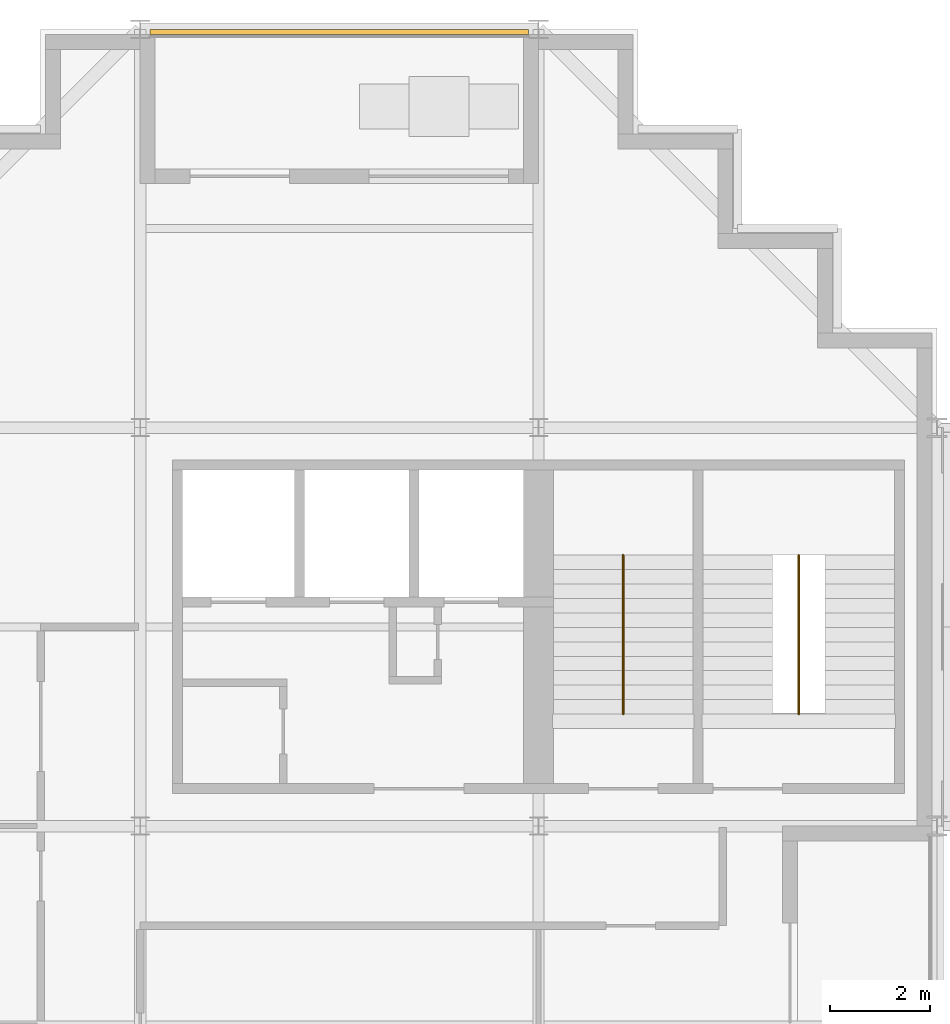
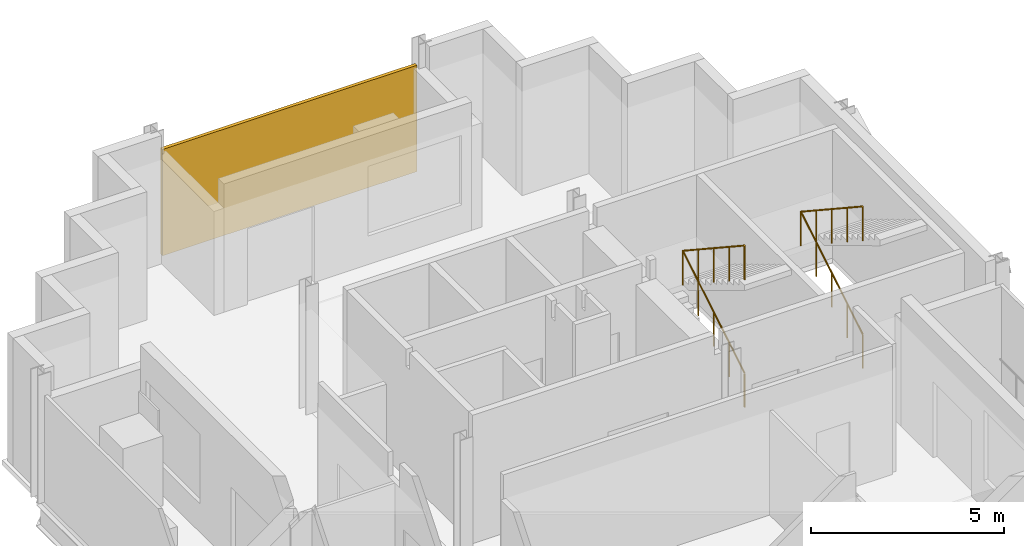
# One storey, part 11 of 12: 2 railings, 1 shading device.
"""IFC4 building model written with IfcOpenShell, lengths in metres."""

from ifc_helpers import new_model, si_unit, direction, frame, origin, origin_2d, place, context, subcontext, project, spatial, rectangle, circle, extrude, material, layer, layer_set, type_object, element, save


model = new_model("IFC4")

# Units and contexts
model_context = context("Model", 3, precision=1e-05, world=origin(), true_north=direction((0.0, 1.0)))
body_context = subcontext(model_context, "Body", "Model", "MODEL_VIEW")
ifc_project = project(units=[si_unit("LENGTHUNIT", "METRE"), si_unit("AREAUNIT", "SQUARE_METRE"), si_unit("VOLUMEUNIT", "CUBIC_METRE"), si_unit("PLANEANGLEUNIT", "RADIAN"), si_unit("MASSUNIT", "GRAM", prefix="KILO")], contexts=[model_context])

# Site, building, storey
site_placement = place(None, origin())
site = spatial("IfcSite", under=ifc_project, at=site_placement, CompositionType="ELEMENT")
building_placement = place(site_placement, origin())
building = spatial("IfcBuilding", under=site, at=building_placement, Name="Immortelle Media Tower", CompositionType="ELEMENT")
storey_placement = place(building_placement, frame((0.0, 0.0, 145.199951171875)))
storey = spatial("IfcBuildingStorey", under=building, at=storey_placement, Name="L29", CompositionType="ELEMENT", Elevation=145.199951171875)

# Shading device
ifc_material_1 = material(Name="Pale aluminium louvre blades", Category="aluminium")
ifc_layer = layer(ifc_material_1, 0.10009765625)
ifc_layer_set = layer_set([ifc_layer], Name="Pale aluminium louvre blades")
shading_device_type = type_object("IfcShadingDeviceType", Name="Jalousie screen 100", PredefinedType="JALOUSIE", material=ifc_layer_set)
shading_device_placement = place(storey_placement, frame((12.0, 47.949951171875, 0.0), z_axis=(0.0, 0.0, 1.0), x_axis=(-1.0, 0.0, 0.0)))
element("IfcShadingDevice", 1, at=shading_device_placement, inside=storey, type_object=shading_device_type, Name="Jalousie screen L29 N0", PredefinedType="JALOUSIE", context=body_context, shape_type="SweptSolid", body=[
    extrude(rectangle(XDim=7.60595703125, YDim=0.10009765625, at=origin_2d()), origin(), (0.0, 0.0, 1.0), 3.35693359375),
])

# Railings
ifc_material_2 = material(Name="Stainless steel AISI 316", Category="steel")
railing_type = type_object("IfcRailingType", Name="Stair guard 1100", PredefinedType="GUARDRAIL", material=ifc_material_2)
for number, where, name in (
    (2, (17.699951171875, 34.25, 0.175048828125), "Stair guard NW1"),
    (3, (21.22509765625, 34.25, 0.175048828125), "Stair guard NW2"),
):
    element("IfcRailing", number, at=place(storey_placement, frame(where)), inside=storey, type_object=railing_type, Name=name, PredefinedType="GUARDRAIL", context=body_context, shape_type="SweptSolid", body=[
        extrude(circle(Radius=0.02392578125, at=origin_2d()), frame((0.0, 0.0, 1.076171875), z_axis=(0.0, 0.856177665481, 0.516681531633), x_axis=(-1.0, 0.0, 0.0)), (0.0, 0.0, 1.0), 3.725830078125),
        extrude(circle(Radius=0.02392578125, at=origin_2d()), frame((0.0, 3.18994140625, 3.0009765625), z_axis=(0.0, -0.835271834381, 0.549837214719), x_axis=(1.0, 0.0, 0.0)), (0.0, 0.0, 1.0), 3.819091796875),
        extrude(circle(Radius=0.02099609375, at=origin_2d()), origin(), (0.0, 0.0, 1.0), 1.052001953125),
        extrude(circle(Radius=0.02099609375, at=origin_2d()), frame((0.0, 0.79736328125, 0.481201171875)), (0.0, 0.0, 1.0), 1.052001953125),
        extrude(circle(Radius=0.02099609375, at=origin_2d()), frame((0.0, 1.594970703125, 0.96240234375)), (0.0, 0.0, 1.0), 1.052001953125),
        extrude(circle(Radius=0.02099609375, at=origin_2d()), frame((0.0, 2.392578125, 1.44384765625)), (0.0, 0.0, 1.0), 1.052001953125),
        extrude(circle(Radius=0.02099609375, at=origin_2d()), frame((0.0, 3.18994140625, 1.925048828125)), (0.0, 0.0, 1.0), 1.052001953125),
        extrude(circle(Radius=0.02099609375, at=origin_2d()), frame((0.0, 2.392578125, 2.449951171875)), (0.0, 0.0, 1.0), 1.052001953125),
        extrude(circle(Radius=0.02099609375, at=origin_2d()), frame((0.0, 1.594970703125, 2.97509765625)), (0.0, 0.0, 1.0), 1.052001953125),
        extrude(circle(Radius=0.02099609375, at=origin_2d()), frame((0.0, 0.79736328125, 3.5)), (0.0, 0.0, 1.0), 1.052001953125),
        extrude(circle(Radius=0.02099609375, at=origin_2d()), frame((0.0, 0.0, 4.02490234375)), (0.0, 0.0, 1.0), 1.052001953125),
    ])

save(model, "model.ifc")
